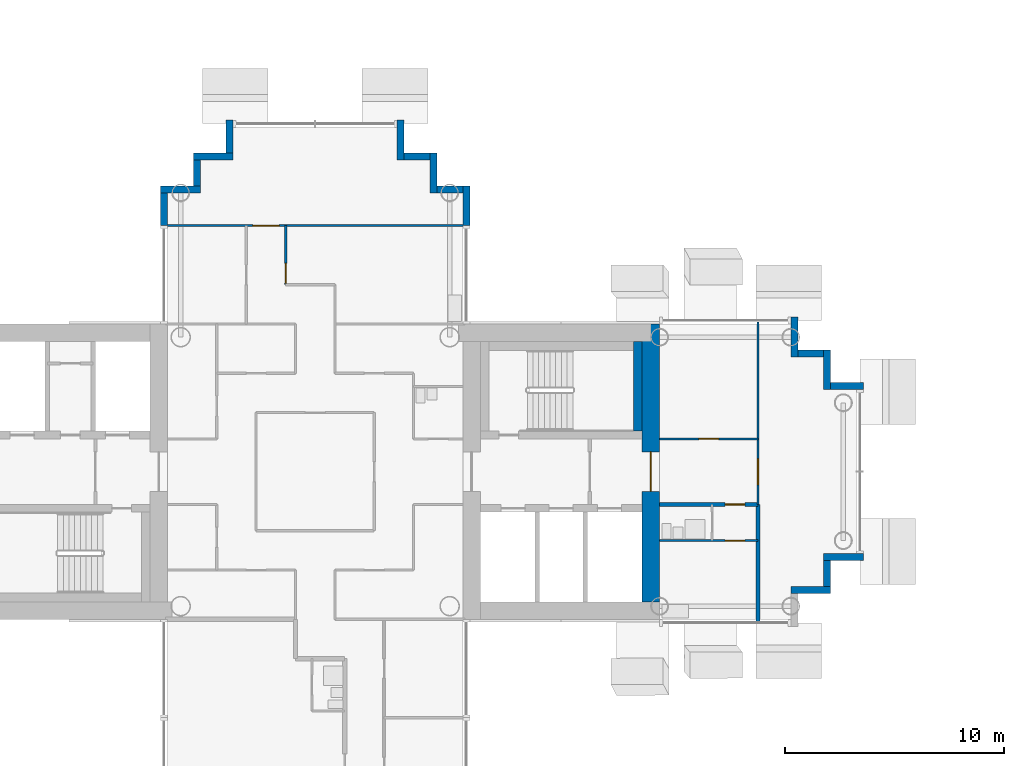
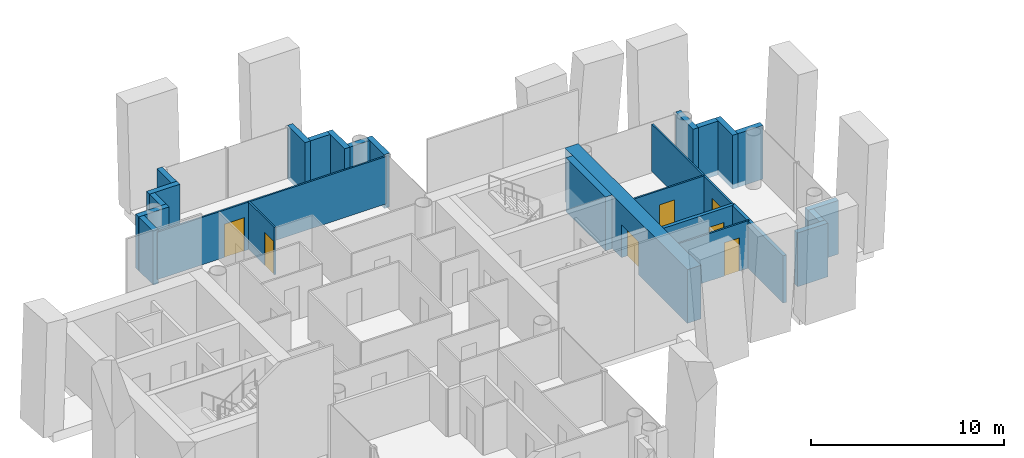
# One storey, part 8 of 18: 26 walls, 7 doors, 7 openings.
"""IFC4 building model written with IfcOpenShell, lengths in metres."""

from ifc_helpers import new_model, si_unit, direction, frame, frame_2d, origin, place, context, subcontext, project, spatial, rectangle, extrude, material, layer, layer_set, type_object, element, fill, save


model = new_model("IFC4")

# Units and contexts
model_context = context("Model", 3, precision=1e-05, world=origin(), true_north=direction((0.0, 1.0)))
body_context = subcontext(model_context, "Body", "Model", "MODEL_VIEW")
ifc_project = project(units=[si_unit("LENGTHUNIT", "METRE"), si_unit("AREAUNIT", "SQUARE_METRE"), si_unit("VOLUMEUNIT", "CUBIC_METRE"), si_unit("PLANEANGLEUNIT", "RADIAN"), si_unit("MASSUNIT", "GRAM", prefix="KILO")], contexts=[model_context])

# Site, building, storey
site_placement = place(None, origin())
site = spatial("IfcSite", under=ifc_project, at=site_placement, CompositionType="ELEMENT")
building_placement = place(site_placement, origin())
building = spatial("IfcBuilding", under=site, at=building_placement, Name="Ipe Terrace Towers", CompositionType="ELEMENT")
storey_placement = place(building_placement, frame((0.0, 0.0, 171.10009765625)))
storey = spatial("IfcBuildingStorey", under=building, at=storey_placement, Name="L47", CompositionType="ELEMENT", Elevation=171.10009765625)

# Walls
ifc_material_1 = material(Name="Concrete C40/50 with buff precast cladding", Category="concrete")
ifc_layer_1 = layer(ifc_material_1, 0.320068359375)
ifc_layer_set_1 = layer_set([ifc_layer_1], Name="BUFF CLADDING WALL 320")
wall_type_1 = type_object("IfcWallType", Name="BUFF CLADDING WALL 320", PredefinedType="STANDARD", material=ifc_layer_set_1)
wall_1_placement = place(storey_placement, frame((-14.25, -5.409912109375, -0.300048828125), z_axis=(0.0, 0.0, 1.0), x_axis=(1.0, 0.0, 0.0)))
element("IfcWall", 1, at=wall_1_placement, inside=storey, type_object=wall_type_1, Name="T1-W-L47-18a wall", PredefinedType="STANDARD", context=body_context, shape_type="SweptSolid", body=[
    extrude(rectangle(XDim=1.820068359375, YDim=0.320068359375, at=frame_2d((0.91015625, 0.0))), origin(), (0.0, 0.0, 1.0), 3.39990234375),
])
wall_2_placement = place(storey_placement, frame((-12.590087890625, -5.25, -0.300048828125), z_axis=(0.0, 0.0, 1.0), x_axis=(0.0, 1.0, 0.0)))
element("IfcWall", 2, at=wall_2_placement, inside=storey, type_object=wall_type_1, Name="T1-W-L47-19a wall", PredefinedType="STANDARD", context=body_context, shape_type="SweptSolid", body=[
    extrude(rectangle(XDim=1.179931640625, YDim=0.320068359375, at=frame_2d((0.58984375, 0.0))), origin(), (0.0, 0.0, 1.0), 3.39990234375),
])
wall_3_placement = place(storey_placement, frame((-12.75, -3.909912109375, -0.300048828125), z_axis=(0.0, 0.0, 1.0), x_axis=(1.0, 0.0, 0.0)))
element("IfcWall", 3, at=wall_3_placement, inside=storey, type_object=wall_type_1, Name="T1-W-L47-20a wall", PredefinedType="STANDARD", context=body_context, shape_type="SweptSolid", body=[
    extrude(rectangle(XDim=1.820068359375, YDim=0.320068359375, at=frame_2d((0.91015625, 0.0))), origin(), (0.0, 0.0, 1.0), 3.39990234375),
])
wall_4_placement = place(storey_placement, frame((-10.929931640625, 3.909912109375, -0.300048828125), z_axis=(0.0, 0.0, 1.0), x_axis=(-1.0, 0.0, 0.0)))
element("IfcWall", 4, at=wall_4_placement, inside=storey, type_object=wall_type_1, Name="T1-W-L47-22a wall", PredefinedType="STANDARD", context=body_context, shape_type="SweptSolid", body=[
    extrude(rectangle(XDim=1.5, YDim=0.320068359375, at=frame_2d((0.75, 0.0))), origin(), (0.0, 0.0, 1.0), 3.39990234375),
])
wall_5_placement = place(storey_placement, frame((-12.590087890625, 3.75, -0.300048828125), z_axis=(0.0, 0.0, 1.0), x_axis=(0.0, 1.0, 0.0)))
element("IfcWall", 5, at=wall_5_placement, inside=storey, type_object=wall_type_1, Name="T1-W-L47-23a wall", PredefinedType="STANDARD", context=body_context, shape_type="SweptSolid", body=[
    extrude(rectangle(XDim=1.820068359375, YDim=0.320068359375, at=frame_2d((0.91015625, 0.0))), origin(), (0.0, 0.0, 1.0), 3.39990234375),
])
wall_6_placement = place(storey_placement, frame((-12.75, 5.409912109375, -0.300048828125), z_axis=(0.0, 0.0, 1.0), x_axis=(-1.0, 0.0, 0.0)))
element("IfcWall", 6, at=wall_6_placement, inside=storey, type_object=wall_type_1, Name="T1-W-L47-24a wall", PredefinedType="STANDARD", context=body_context, shape_type="SweptSolid", body=[
    extrude(rectangle(XDim=1.179931640625, YDim=0.320068359375, at=frame_2d((0.58984375, 0.0))), origin(), (0.0, 0.0, 1.0), 3.39990234375),
])
for number, where, z_axis, x_axis, name in (
    (7, (-14.090087890625, 5.25, -0.300048828125), (0.0, 0.0, 1.0), (0.0, 1.0, 0.0), "T1-W-L47-25a wall"),
    (8, (-29.090087890625, 11.25, -0.300048828125), (0.0, 0.0, 1.0), (0.0, 1.0, 0.0), "T1-W-L47-29a wall"),
):
    element("IfcWall", number, at=place(storey_placement, frame(where, z_axis=z_axis, x_axis=x_axis)), inside=storey, type_object=wall_type_1, Name=name, PredefinedType="STANDARD", context=body_context, shape_type="SweptSolid", body=[
        extrude(rectangle(XDim=1.820068359375, YDim=0.320068359375, at=frame_2d((0.91015625, 0.0))), origin(), (0.0, 0.0, 1.0), 3.39990234375),
    ])
wall_7_placement = place(storey_placement, frame((-29.25, 12.909912109375, -0.300048828125), z_axis=(0.0, 0.0, 1.0), x_axis=(-1.0, 0.0, 0.0)))
element("IfcWall", 9, at=wall_7_placement, inside=storey, type_object=wall_type_1, Name="T1-W-L47-30a wall", PredefinedType="STANDARD", context=body_context, shape_type="SweptSolid", body=[
    extrude(rectangle(XDim=1.179931640625, YDim=0.320068359375, at=frame_2d((0.58984375, 0.0))), origin(), (0.0, 0.0, 1.0), 3.39990234375),
])
wall_8_placement = place(storey_placement, frame((-30.590087890625, 12.75, -0.300048828125), z_axis=(0.0, 0.0, 1.0), x_axis=(0.0, 1.0, 0.0)))
element("IfcWall", 10, at=wall_8_placement, inside=storey, type_object=wall_type_1, Name="T1-W-L47-31a wall", PredefinedType="STANDARD", context=body_context, shape_type="SweptSolid", body=[
    extrude(rectangle(XDim=1.820068359375, YDim=0.320068359375, at=frame_2d((0.91015625, 0.0))), origin(), (0.0, 0.0, 1.0), 3.39990234375),
])
wall_9_placement = place(storey_placement, frame((-30.75, 14.409912109375, -0.300048828125), z_axis=(0.0, 0.0, 1.0), x_axis=(-1.0, 0.0, 0.0)))
element("IfcWall", 11, at=wall_9_placement, inside=storey, type_object=wall_type_1, Name="T1-W-L47-32a wall", PredefinedType="STANDARD", context=body_context, shape_type="SweptSolid", body=[
    extrude(rectangle(XDim=1.179931640625, YDim=0.320068359375, at=frame_2d((0.58984375, 0.0))), origin(), (0.0, 0.0, 1.0), 3.39990234375),
])
wall_10_placement = place(storey_placement, frame((-32.090087890625, 14.25, -0.300048828125), z_axis=(0.0, 0.0, 1.0), x_axis=(0.0, 1.0, 0.0)))
element("IfcWall", 12, at=wall_10_placement, inside=storey, type_object=wall_type_1, Name="T1-W-L47-33a wall", PredefinedType="STANDARD", context=body_context, shape_type="SweptSolid", body=[
    extrude(rectangle(XDim=1.820068359375, YDim=0.320068359375, at=frame_2d((0.91015625, 0.0))), origin(), (0.0, 0.0, 1.0), 3.39990234375),
])
wall_11_placement = place(storey_placement, frame((-39.909912109375, 16.070068359375, -0.300048828125), z_axis=(0.0, 0.0, 1.0), x_axis=(0.0, -1.0, 0.0)))
element("IfcWall", 13, at=wall_11_placement, inside=storey, type_object=wall_type_1, Name="T1-W-L47-35a wall", PredefinedType="STANDARD", context=body_context, shape_type="SweptSolid", body=[
    extrude(rectangle(XDim=1.5, YDim=0.320068359375, at=frame_2d((0.75, 0.0))), origin(), (0.0, 0.0, 1.0), 3.39990234375),
])
wall_12_placement = place(storey_placement, frame((-39.75, 14.409912109375, -0.300048828125), z_axis=(0.0, 0.0, 1.0), x_axis=(-1.0, 0.0, 0.0)))
element("IfcWall", 14, at=wall_12_placement, inside=storey, type_object=wall_type_1, Name="T1-W-L47-36a wall", PredefinedType="STANDARD", context=body_context, shape_type="SweptSolid", body=[
    extrude(rectangle(XDim=1.820068359375, YDim=0.320068359375, at=frame_2d((0.91015625, 0.0))), origin(), (0.0, 0.0, 1.0), 3.39990234375),
])
wall_13_placement = place(storey_placement, frame((-41.409912109375, 14.25, -0.300048828125), z_axis=(0.0, 0.0, 1.0), x_axis=(0.0, -1.0, 0.0)))
element("IfcWall", 15, at=wall_13_placement, inside=storey, type_object=wall_type_1, Name="T1-W-L47-37a wall", PredefinedType="STANDARD", context=body_context, shape_type="SweptSolid", body=[
    extrude(rectangle(XDim=1.179931640625, YDim=0.320068359375, at=frame_2d((0.58984375, 0.0))), origin(), (0.0, 0.0, 1.0), 3.39990234375),
])
wall_14_placement = place(storey_placement, frame((-41.25, 12.909912109375, -0.300048828125), z_axis=(0.0, 0.0, 1.0), x_axis=(-1.0, 0.0, 0.0)))
element("IfcWall", 16, at=wall_14_placement, inside=storey, type_object=wall_type_1, Name="T1-W-L47-38a wall", PredefinedType="STANDARD", context=body_context, shape_type="SweptSolid", body=[
    extrude(rectangle(XDim=1.820068359375, YDim=0.320068359375, at=frame_2d((0.91015625, 0.0))), origin(), (0.0, 0.0, 1.0), 3.39990234375),
])
wall_15_placement = place(storey_placement, frame((-42.909912109375, 12.75, -0.300048828125), z_axis=(0.0, 0.0, 1.0), x_axis=(0.0, -1.0, 0.0)))
element("IfcWall", 17, at=wall_15_placement, inside=storey, type_object=wall_type_1, Name="T1-W-L47-39a wall", PredefinedType="STANDARD", context=body_context, shape_type="SweptSolid", body=[
    extrude(rectangle(XDim=1.5, YDim=0.320068359375, at=frame_2d((0.75, 0.0))), origin(), (0.0, 0.0, 1.0), 3.39990234375),
])

# Wall, opening, door
ifc_material_2 = material(Name="Gypsum board partition", Category="plasterboard")
ifc_layer_2 = layer(ifc_material_2, 0.10009765625)
ifc_layer_set_2 = layer_set([ifc_layer_2], Name="Gypsum board partition 100 mm")
wall_type_2 = type_object("IfcWallType", Name="Gypsum board partition 100 mm", PredefinedType="PARTITIONING", material=ifc_layer_set_2)
wall_16_placement = place(storey_placement, frame((-37.35009765625, 8.550048828125, 0.0), z_axis=(0.0, 0.0, 1.0), x_axis=(0.0, 1.0, 0.0)))
wall_16 = element("IfcWall", 18, at=wall_16_placement, inside=storey, type_object=wall_type_2, Name="Gypsum board partition T1 L47 W05", PredefinedType="PARTITIONING", context=body_context, shape_type="SweptSolid", body=[
    extrude(rectangle(XDim=2.699951171875, YDim=0.10009765625, at=frame_2d((1.35009765625, 0.0))), origin(), (0.0, 0.0, 1.0), 3.0),
])
opening_1_placement = place(wall_16_placement, frame((0.070068359375, 0.0, 0.0)))
opening_1 = element("IfcOpeningElement", 19, at=opening_1_placement, cuts=wall_16, Name="Opening T1-Z3F-11", PredefinedType="OPENING", context=body_context, shape_type="SweptSolid", body=[
    extrude(rectangle(XDim=0.89990234375, YDim=2.10009765625, at=frame_2d((0.449951171875, 1.050048828125))), frame((0.0, 0.06005859375, 0.0), z_axis=(0.0, -1.0, 0.0), x_axis=(1.0, 0.0, 0.0)), (0.0, 0.0, 1.0), 0.1201171875),
])
ifc_material_3 = material(Name="Timber door leaf", Category="wood")
door_type_1 = type_object("IfcDoorType", Name="Lounge door 900 x 2100", OperationType="NOTDEFINED", PredefinedType="DOOR", material=ifc_material_3)
door_1_placement = place(opening_1_placement, origin())
door_1 = element("IfcDoor", 20, at=door_1_placement, inside=storey, type_object=door_type_1, Name="Lounge door T1-Z3F-11", OperationType="SINGLE_SWING_LEFT", OverallHeight=2.10009765625, OverallWidth=0.89990234375, PredefinedType="DOOR", context=body_context, shape_type="SweptSolid", body=[
    extrude(rectangle(XDim=0.89990234375, YDim=2.10009765625, at=frame_2d((0.449951171875, 1.050048828125))), frame((0.0, 0.02490234375, 0.0), z_axis=(0.0, -1.0, 0.0), x_axis=(1.0, 0.0, 0.0)), (0.0, 0.0, 1.0), 0.050048828125),
])
fill(opening_1, door_1)

wall_17_placement = place(storey_placement, frame((-15.75, -1.5, 0.0), z_axis=(0.0, 0.0, 1.0), x_axis=(0.0, 1.0, 0.0)))
wall_17 = element("IfcWall", 21, at=wall_17_placement, inside=storey, type_object=wall_type_2, Name="Gypsum board partition T1 L47 W18", PredefinedType="PARTITIONING", context=body_context, shape_type="SweptSolid", body=[
    extrude(rectangle(XDim=8.35009765625, YDim=0.10009765625, at=frame_2d((4.175048828125, 0.0))), origin(), (0.0, 0.0, 1.0), 3.0),
])
opening_2_placement = place(wall_17_placement, frame((0.89990234375, 0.0, 0.0)))
opening_2 = element("IfcOpeningElement", 22, at=opening_2_placement, cuts=wall_17, Name="Opening T1-Z3F-22", PredefinedType="OPENING", context=body_context, shape_type="SweptSolid", body=[
    extrude(rectangle(XDim=1.199951171875, YDim=2.10009765625, at=frame_2d((0.60009765625, 1.050048828125))), frame((0.0, 0.06005859375, 0.0), z_axis=(0.0, -1.0, 0.0), x_axis=(1.0, 0.0, 0.0)), (0.0, 0.0, 1.0), 0.1201171875),
])
ifc_material_4 = material(Name="Timber door leaf", Category="wood")
door_type_2 = type_object("IfcDoorType", Name="Lounge door 1200 x 2100", OperationType="NOTDEFINED", PredefinedType="DOOR", material=ifc_material_4)
door_2_placement = place(opening_2_placement, origin())
door_2 = element("IfcDoor", 23, at=door_2_placement, inside=storey, type_object=door_type_2, Name="Lounge door T1-Z3F-22", OperationType="SINGLE_SWING_LEFT", OverallHeight=2.10009765625, OverallWidth=1.199951171875, PredefinedType="DOOR", context=body_context, shape_type="SweptSolid", body=[
    extrude(rectangle(XDim=1.199951171875, YDim=2.10009765625, at=frame_2d((0.60009765625, 1.050048828125))), frame((0.0, 0.02490234375, 0.0), z_axis=(0.0, -1.0, 0.0), x_axis=(1.0, 0.0, 0.0)), (0.0, 0.0, 1.0), 0.050048828125),
])
fill(opening_2, door_2)

wall_18_placement = place(storey_placement, frame((-20.25, -3.14990234375, 0.0), z_axis=(0.0, 0.0, 1.0), x_axis=(1.0, 0.0, 0.0)))
wall_18 = element("IfcWall", 24, at=wall_18_placement, inside=storey, type_object=wall_type_2, Name="Gypsum board partition T1 L47 W29", PredefinedType="PARTITIONING", context=body_context, shape_type="SweptSolid", body=[
    extrude(rectangle(XDim=4.5, YDim=0.10009765625, at=frame_2d((2.25, 0.0))), origin(), (0.0, 0.0, 1.0), 3.0),
])
opening_3_placement = place(wall_18_placement, frame((3.0, 0.0, 0.0)))
opening_3 = element("IfcOpeningElement", 25, at=opening_3_placement, cuts=wall_18, Name="Opening T1-Z3F-20", PredefinedType="OPENING", context=body_context, shape_type="SweptSolid", body=[
    extrude(rectangle(XDim=0.89990234375, YDim=2.10009765625, at=frame_2d((0.449951171875, 1.050048828125))), frame((0.0, 0.06005859375, 0.0), z_axis=(0.0, -1.0, 0.0), x_axis=(1.0, 0.0, 0.0)), (0.0, 0.0, 1.0), 0.1201171875),
])
ifc_material_5 = material(Name="Timber door leaf", Category="wood")
door_type_3 = type_object("IfcDoorType", Name="Bedroom door 900 x 2100", OperationType="NOTDEFINED", PredefinedType="DOOR", material=ifc_material_5)
door_3_placement = place(opening_3_placement, origin())
door_3 = element("IfcDoor", 26, at=door_3_placement, inside=storey, type_object=door_type_3, Name="Bedroom door T1-Z3F-20", OperationType="SINGLE_SWING_RIGHT", OverallHeight=2.10009765625, OverallWidth=0.89990234375, PredefinedType="DOOR", context=body_context, shape_type="SweptSolid", body=[
    extrude(rectangle(XDim=0.89990234375, YDim=2.10009765625, at=frame_2d((0.449951171875, 1.050048828125))), frame((0.0, 0.02490234375, 0.0), z_axis=(0.0, -1.0, 0.0), x_axis=(1.0, 0.0, 0.0)), (0.0, 0.0, 1.0), 0.050048828125),
])
fill(opening_3, door_3)

wall_19_placement = place(storey_placement, frame((-20.25, 1.5, 0.0), z_axis=(0.0, 0.0, 1.0), x_axis=(1.0, 0.0, 0.0)))
wall_19 = element("IfcWall", 27, at=wall_19_placement, inside=storey, type_object=wall_type_2, Name="Gypsum board partition T1 L47 W36", PredefinedType="PARTITIONING", context=body_context, shape_type="SweptSolid", body=[
    extrude(rectangle(XDim=4.5, YDim=0.10009765625, at=frame_2d((2.25, 0.0))), origin(), (0.0, 0.0, 1.0), 3.0),
])
opening_4_placement = place(wall_19_placement, frame((1.800048828125, 0.0, 0.0)))
opening_4 = element("IfcOpeningElement", 28, at=opening_4_placement, cuts=wall_19, Name="Opening T1-Z3F-18", PredefinedType="OPENING", context=body_context, shape_type="SweptSolid", body=[
    extrude(rectangle(XDim=0.89990234375, YDim=2.10009765625, at=frame_2d((0.449951171875, 1.050048828125))), frame((0.0, 0.06005859375, 0.0), z_axis=(0.0, -1.0, 0.0), x_axis=(1.0, 0.0, 0.0)), (0.0, 0.0, 1.0), 0.1201171875),
])
door_4_placement = place(opening_4_placement, origin())
door_4 = element("IfcDoor", 29, at=door_4_placement, inside=storey, type_object=door_type_1, Name="Lounge door T1-Z3F-18", OperationType="SINGLE_SWING_LEFT", OverallHeight=2.10009765625, OverallWidth=0.89990234375, PredefinedType="DOOR", context=body_context, shape_type="SweptSolid", body=[
    extrude(rectangle(XDim=0.89990234375, YDim=2.10009765625, at=frame_2d((0.449951171875, 1.050048828125))), frame((0.0, 0.02490234375, 0.0), z_axis=(0.0, -1.0, 0.0), x_axis=(1.0, 0.0, 0.0)), (0.0, 0.0, 1.0), 0.050048828125),
])
fill(opening_4, door_4)

wall_20_placement = place(storey_placement, frame((-42.85009765625, 11.25, 0.0), z_axis=(0.0, 0.0, 1.0), x_axis=(1.0, 0.0, 0.0)))
wall_20 = element("IfcWall", 30, at=wall_20_placement, inside=storey, type_object=wall_type_2, Name="Gypsum board partition T1 L47 W44", PredefinedType="PARTITIONING", context=body_context, shape_type="SweptSolid", body=[
    extrude(rectangle(XDim=13.7001953125, YDim=0.10009765625, at=frame_2d((6.85009765625, 0.0))), origin(), (0.0, 0.0, 1.0), 3.0),
])
opening_5_placement = place(wall_20_placement, frame((4.0, 0.0, 0.0)))
opening_5 = element("IfcOpeningElement", 31, at=opening_5_placement, cuts=wall_20, Name="Opening T1-Z3F-12", PredefinedType="OPENING", context=body_context, shape_type="SweptSolid", body=[
    extrude(rectangle(XDim=1.199951171875, YDim=2.10009765625, at=frame_2d((0.60009765625, 1.050048828125))), frame((0.0, 0.06005859375, 0.0), z_axis=(0.0, -1.0, 0.0), x_axis=(1.0, 0.0, 0.0)), (0.0, 0.0, 1.0), 0.1201171875),
])
door_5_placement = place(opening_5_placement, origin())
door_5 = element("IfcDoor", 32, at=door_5_placement, inside=storey, type_object=door_type_2, Name="Lounge door T1-Z3F-12", OperationType="SINGLE_SWING_RIGHT", OverallHeight=2.10009765625, OverallWidth=1.199951171875, PredefinedType="DOOR", context=body_context, shape_type="SweptSolid", body=[
    extrude(rectangle(XDim=1.199951171875, YDim=2.10009765625, at=frame_2d((0.60009765625, 1.050048828125))), frame((0.0, 0.02490234375, 0.0), z_axis=(0.0, -1.0, 0.0), x_axis=(1.0, 0.0, 0.0)), (0.0, 0.0, 1.0), 0.050048828125),
])
fill(opening_5, door_5)

# Wall
ifc_material_6 = material(Name="Gypsum board party wall", Category="plasterboard")
ifc_layer_3 = layer(ifc_material_6, 0.199951171875)
ifc_layer_set_3 = layer_set([ifc_layer_3], Name="Gypsum board party wall 200 mm")
wall_type_3 = type_object("IfcWallType", Name="Gypsum board party wall 200 mm", PredefinedType="SOLIDWALL", material=ifc_layer_set_3)
wall_21_placement = place(storey_placement, frame((-15.75, -6.85009765625, 0.0), z_axis=(0.0, 0.0, 1.0), x_axis=(0.0, 1.0, 0.0)))
element("IfcWall", 33, at=wall_21_placement, inside=storey, type_object=wall_type_3, Name="Gypsum board party wall T1 L47 W19", PredefinedType="SOLIDWALL", context=body_context, shape_type="SweptSolid", body=[
    extrude(rectangle(XDim=5.35009765625, YDim=0.199951171875, at=frame_2d((2.675048828125, 0.0))), origin(), (0.0, 0.0, 1.0), 3.0),
])

# Wall, opening, door
wall_22_placement = place(storey_placement, frame((-20.25, -1.5, 0.0), z_axis=(0.0, 0.0, 1.0), x_axis=(1.0, 0.0, 0.0)))
wall_22 = element("IfcWall", 34, at=wall_22_placement, inside=storey, type_object=wall_type_3, Name="Gypsum board party wall T1 L47 W33", PredefinedType="SOLIDWALL", context=body_context, shape_type="SweptSolid", body=[
    extrude(rectangle(XDim=4.5, YDim=0.199951171875, at=frame_2d((2.25, 0.0))), origin(), (0.0, 0.0, 1.0), 3.0),
])
opening_6_placement = place(wall_22_placement, frame((3.0, 0.0, 0.0)))
opening_6 = element("IfcOpeningElement", 35, at=opening_6_placement, cuts=wall_22, Name="Opening T1-Z3F-19", PredefinedType="OPENING", context=body_context, shape_type="SweptSolid", body=[
    extrude(rectangle(XDim=0.89990234375, YDim=2.10009765625, at=frame_2d((0.449951171875, 1.050048828125))), frame((0.0, 0.10986328125, 0.0), z_axis=(0.0, -1.0, 0.0), x_axis=(1.0, 0.0, 0.0)), (0.0, 0.0, 1.0), 0.219970703125),
])
ifc_material_7 = material(Name="Fire-rated timber door leaf", Category="wood")
door_type_4 = type_object("IfcDoorType", Name="Flat entrance door 900 x 2100 FD30S", OperationType="NOTDEFINED", PredefinedType="DOOR", material=ifc_material_7)
door_6_placement = place(opening_6_placement, origin())
door_6 = element("IfcDoor", 36, at=door_6_placement, inside=storey, type_object=door_type_4, Name="Flat entrance door T1-Z3F-19", OperationType="SINGLE_SWING_RIGHT", OverallHeight=2.10009765625, OverallWidth=0.89990234375, PredefinedType="DOOR", context=body_context, shape_type="SweptSolid", body=[
    extrude(rectangle(XDim=0.89990234375, YDim=2.10009765625, at=frame_2d((0.449951171875, 1.050048828125))), frame((0.0, 0.02490234375, 0.0), z_axis=(0.0, -1.0, 0.0), x_axis=(1.0, 0.0, 0.0)), (0.0, 0.0, 1.0), 0.050048828125),
])
fill(opening_6, door_6)

# Wall
ifc_material_8 = material(Name="Concrete C50/60", Category="concrete")
ifc_layer_4 = layer(ifc_material_8, 0.39990234375)
ifc_layer_set_4 = layer_set([ifc_layer_4], Name="RW400 CORE INFILL WALL 400 C50-60")
wall_type_4 = type_object("IfcWallType", Name="RW400 CORE INFILL WALL 400 C50-60", PredefinedType="SHEAR", material=ifc_layer_set_4)
wall_23_placement = place(storey_placement, frame((-21.25, 1.85009765625, 0.0), z_axis=(0.0, 0.0, 1.0), x_axis=(0.0, 1.0, 0.0)))
element("IfcWall", 37, at=wall_23_placement, inside=storey, type_object=wall_type_4, Name="Core infill wall T1-C1-far", PredefinedType="SHEAR", context=body_context, shape_type="SweptSolid", body=[
    extrude(rectangle(XDim=4.099853515625, YDim=0.39990234375, at=frame_2d((2.0498046875, 0.0))), origin(), (0.0, 0.0, 1.0), 3.39990234375),
])

# Wall, opening, door
ifc_material_9 = material(Name="Concrete C50/60", Category="concrete")
ifc_layer_5 = layer(ifc_material_9, 0.800048828125)
ifc_layer_set_5 = layer_set([ifc_layer_5], Name="RW800 CORE WALL 800 C50-60")
wall_type_5 = type_object("IfcWallType", Name="RW800 CORE WALL 800 C50-60", PredefinedType="SHEAR", material=ifc_layer_set_5)
wall_24_placement = place(storey_placement, frame((-20.64990234375, -5.949951171875, 0.0), z_axis=(0.0, 0.0, 1.0), x_axis=(0.0, 1.0, 0.0)))
wall_24 = element("IfcWall", 38, at=wall_24_placement, inside=storey, type_object=wall_type_5, Name="Core wall T1-C1-Z3-W02", PredefinedType="SHEAR", context=body_context, shape_type="SweptSolid", body=[
    extrude(rectangle(XDim=12.699951171875, YDim=0.800048828125, at=frame_2d((6.35009765625, 0.0))), origin(), (0.0, 0.0, 1.0), 3.39990234375),
])
opening_7_placement = place(wall_24_placement, frame((5.050048828125, 0.0, 0.0)))
opening_7 = element("IfcOpeningElement", 39, at=opening_7_placement, cuts=wall_24, Name="Opening T1C1-FD", PredefinedType="OPENING", context=body_context, shape_type="SweptSolid", body=[
    extrude(rectangle(XDim=1.800048828125, YDim=2.10009765625, at=frame_2d((0.89990234375, 1.050048828125))), frame((0.0, 0.41015625, 0.0), z_axis=(0.0, -1.0, 0.0), x_axis=(1.0, 0.0, 0.0)), (0.0, 0.0, 1.0), 0.820068359375),
])
ifc_material_10 = material(Name="Fire-rated timber door leaf", Category="wood")
door_type_5 = type_object("IfcDoorType", Name="Fire door 1800 x 2100 FD30S", OperationType="NOTDEFINED", PredefinedType="DOOR", material=ifc_material_10)
door_7_placement = place(opening_7_placement, origin())
door_7 = element("IfcDoor", 40, at=door_7_placement, inside=storey, type_object=door_type_5, Name="Fire door T1C1-FD", OperationType="SINGLE_SWING_LEFT", OverallHeight=2.10009765625, OverallWidth=1.800048828125, PredefinedType="DOOR", context=body_context, shape_type="SweptSolid", body=[
    extrude(rectangle(XDim=1.800048828125, YDim=2.10009765625, at=frame_2d((0.89990234375, 1.050048828125))), frame((0.0, 0.02490234375, 0.0), z_axis=(0.0, -1.0, 0.0), x_axis=(1.0, 0.0, 0.0)), (0.0, 0.0, 1.0), 0.050048828125),
])
fill(opening_7, door_7)

save(model, "model.ifc")
